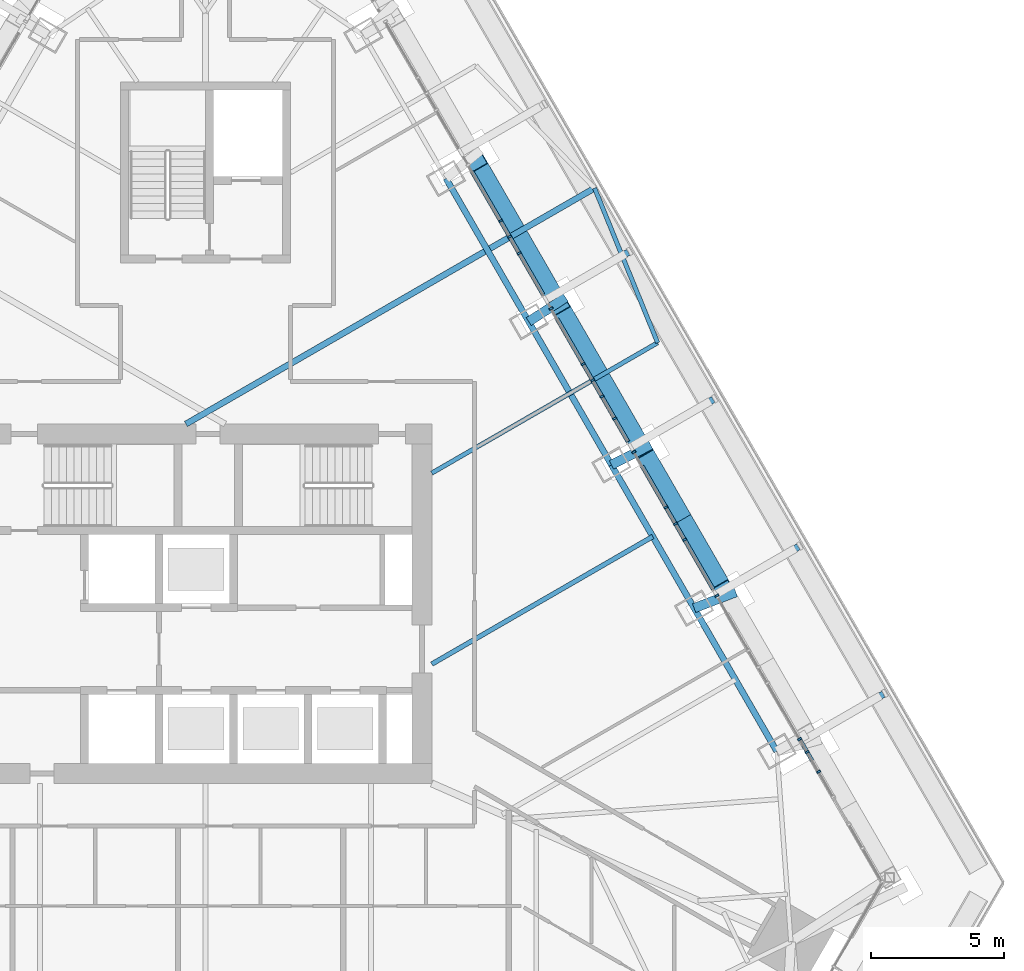
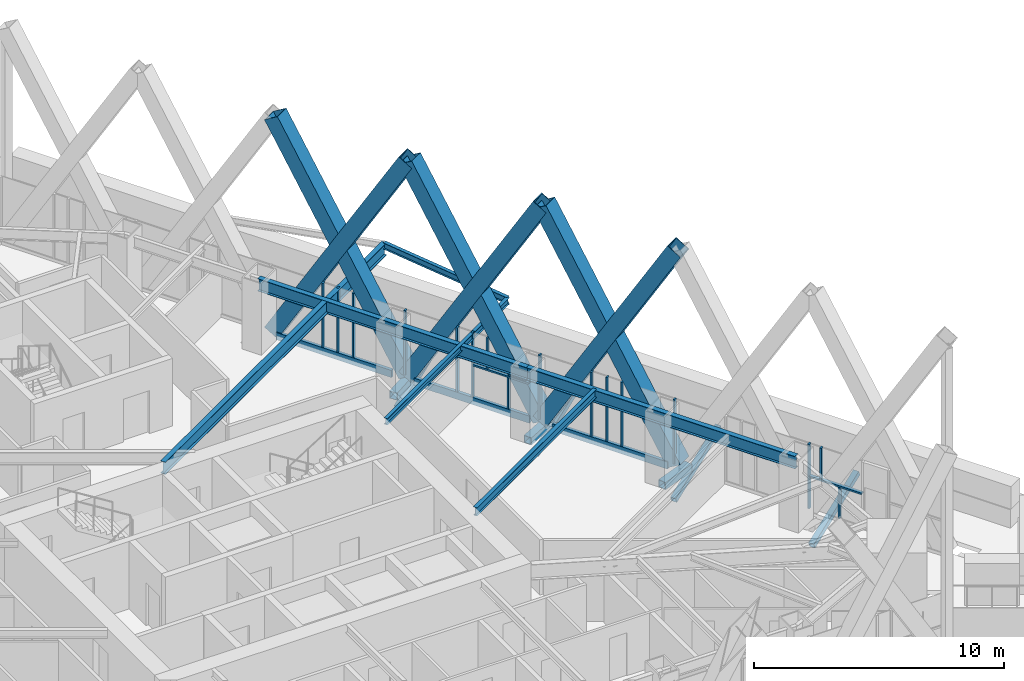
# One storey, part 6 of 23: 34 members, 6 beams, 1 element without a shape of its own.
"""IFC4 building model written with IfcOpenShell, lengths in metres."""

from ifc_helpers import new_model, si_unit, direction, frame, origin, origin_2d, place, context, subcontext, project, spatial, rectangle, hollow_rectangle, i_section, extrude, material, layer, layer_set, material_profile, profile_set, type_object, element, aggregate, save


model = new_model("IFC4")

# Units and contexts
model_context = context("Model", 3, precision=1e-05, world=origin(), true_north=direction((0.0, 1.0)))
body_context = subcontext(model_context, "Body", "Model", "MODEL_VIEW")
ifc_project = project(units=[si_unit("LENGTHUNIT", "METRE"), si_unit("AREAUNIT", "SQUARE_METRE"), si_unit("VOLUMEUNIT", "CUBIC_METRE"), si_unit("PLANEANGLEUNIT", "RADIAN"), si_unit("MASSUNIT", "GRAM", prefix="KILO")], contexts=[model_context])

# Site, building, storey
site_placement = place(None, origin())
site = spatial("IfcSite", under=ifc_project, at=site_placement, CompositionType="ELEMENT")
building_placement = place(site_placement, origin())
building = spatial("IfcBuilding", under=site, at=building_placement, Name="Firuza Gate Tower and Library", CompositionType="ELEMENT")
storey_placement = place(building_placement, frame((0.0, 0.0, 291.60009765625)))
storey = spatial("IfcBuildingStorey", under=building, at=storey_placement, Name="L70", CompositionType="ELEMENT", Elevation=291.60009765625)

# Members
ifc_material_1 = material(Name="Steel S355", Category="steel")
ifc_material_profile_1 = material_profile(ifc_material_1, hollow_rectangle(XDim=0.699951171875, YDim=0.699951171875, WallThickness=0.030029296875, at=origin_2d()))
ifc_profile_set_1 = profile_set([ifc_material_profile_1], Name="Steel S355")
member_type_1 = type_object("IfcMemberType", Name="BU700x700x30 Lattice brace", PredefinedType="BRACE", material=ifc_profile_set_1)
for number, where, z_axis, x_axis, name in (
    (1, (94.479736328125, 75.48486328125, 0.0), (-0.254633703079, 0.441031576884, 0.860611890138), (-0.866021999733, -0.500005895944, 0.0), "Lattice brace E 18.3R"),
    (2, (91.373046875, 80.86572265625, 0.0), (0.254633703079, -0.441031576884, 0.860611890138), (0.866021999733, 0.500005895944, 0.0), "Lattice brace E 18.3L"),
    (3, (91.373046875, 80.86572265625, 0.0), (-0.254633703079, 0.441031576884, 0.860611890138), (-0.866021999733, -0.500005895944, 0.0), "Lattice brace E 18.4R"),
    (4, (88.266357421875, 86.24658203125, 0.0), (0.254633703079, -0.441031576884, 0.860611890138), (0.866021999733, 0.500005895944, 0.0), "Lattice brace E 18.4L"),
    (5, (88.266357421875, 86.24658203125, 0.0), (-0.254633703079, 0.441031576884, 0.860611890138), (-0.866021999733, -0.500005895944, 0.0), "Lattice brace E 18.5R"),
    (6, (85.15966796875, 91.62744140625, 0.0), (0.254633703079, -0.441031576884, 0.860611890138), (0.866021999733, 0.500005895944, 0.0), "Lattice brace E 18.5L"),
):
    element("IfcMember", number, at=place(storey_placement, frame(where, z_axis=z_axis, x_axis=x_axis)), inside=storey, type_object=member_type_1, Name=name, PredefinedType="BRACE", context=body_context, shape_type="SweptSolid", body=[
        extrude(hollow_rectangle(XDim=0.699951171875, YDim=0.699951171875, WallThickness=0.030029296875, at=origin_2d()), origin(), (0.0, 0.0, 1.0), 12.20068359375),
    ])

# Curtain wall, members
ifc_material_2 = material(Name="Aluminium 6063-T6", Category="aluminium")
ifc_layer = layer(ifc_material_2, 0.14990234375)
ifc_layer_set = layer_set([ifc_layer], Name="Unitised curtain wall, residences")
curtain_wall_type = type_object("IfcCurtainWallType", Name="Unitised curtain wall, residences", PredefinedType="NOTDEFINED", material=ifc_layer_set)
curtain_wall_placement = place(storey_placement, origin())
curtain_wall = element("IfcCurtainWall", 7, at=curtain_wall_placement, inside=storey, type_object=curtain_wall_type, Name="CW3 L70 E face", PredefinedType="NOTDEFINED")
ifc_material_3 = material(Name="Aluminium 6063-T6", Category="aluminium")
ifc_material_profile_2 = material_profile(ifc_material_3, rectangle(XDim=0.14990234375, YDim=0.080078125, at=origin_2d()))
ifc_profile_set_2 = profile_set([ifc_material_profile_2], Name="Aluminium 6063-T6")
member_type_2 = type_object("IfcMemberType", Name="Curtain wall mullion 80x150", PredefinedType="MULLION", material=ifc_profile_set_2)
member_1_placement = place(storey_placement, frame((97.3203125, 69.91455078125, 0.14990234375), z_axis=(0.0, 0.0, 1.0), x_axis=(-0.866025403784, -0.5, 0.0)))
member_1 = element("IfcMember", 8, at=member_1_placement, type_object=member_type_2, Name="Mullion", PredefinedType="MULLION", context=body_context, shape_type="SweptSolid", body=[
    extrude(rectangle(XDim=0.14990234375, YDim=0.080078125, at=origin_2d()), origin(), (0.0, 0.0, 1.0), 3.14990234375),
])
member_2_placement = place(storey_placement, frame((94.20751953125, 75.30615234375, 0.14990234375), z_axis=(0.0, 0.0, 1.0), x_axis=(-0.866025403784, -0.5, 0.0)))
member_2 = element("IfcMember", 9, at=member_2_placement, type_object=member_type_2, Name="Mullion", PredefinedType="MULLION", context=body_context, shape_type="SweptSolid", body=[
    extrude(rectangle(XDim=0.14990234375, YDim=0.080078125, at=origin_2d()), origin(), (0.0, 0.0, 1.0), 3.14990234375),
])
member_3_placement = place(storey_placement, frame((92.651123046875, 78.001953125, 0.14990234375), z_axis=(0.0, 0.0, 1.0), x_axis=(-0.866025403784, -0.5, 0.0)))
member_3 = element("IfcMember", 10, at=member_3_placement, type_object=member_type_2, Name="Mullion", PredefinedType="MULLION", context=body_context, shape_type="SweptSolid", body=[
    extrude(rectangle(XDim=0.14990234375, YDim=0.080078125, at=origin_2d()), origin(), (0.0, 0.0, 1.0), 3.14990234375),
])
member_4_placement = place(storey_placement, frame((91.0947265625, 80.69775390625, 0.14990234375), z_axis=(0.0, 0.0, 1.0), x_axis=(-0.866025403784, -0.5, 0.0)))
member_4 = element("IfcMember", 11, at=member_4_placement, type_object=member_type_2, Name="Mullion", PredefinedType="MULLION", context=body_context, shape_type="SweptSolid", body=[
    extrude(rectangle(XDim=0.14990234375, YDim=0.080078125, at=origin_2d()), origin(), (0.0, 0.0, 1.0), 3.14990234375),
])
member_5_placement = place(storey_placement, frame((89.538330078125, 83.393798828125, 0.14990234375), z_axis=(0.0, 0.0, 1.0), x_axis=(-0.866025403784, -0.5, 0.0)))
member_5 = element("IfcMember", 12, at=member_5_placement, type_object=member_type_2, Name="Mullion", PredefinedType="MULLION", context=body_context, shape_type="SweptSolid", body=[
    extrude(rectangle(XDim=0.14990234375, YDim=0.080078125, at=origin_2d()), origin(), (0.0, 0.0, 1.0), 3.14990234375),
])
member_6_placement = place(storey_placement, frame((87.98193359375, 86.089599609375, 0.14990234375), z_axis=(0.0, 0.0, 1.0), x_axis=(-0.866025403784, -0.5, 0.0)))
member_6 = element("IfcMember", 13, at=member_6_placement, type_object=member_type_2, Name="Mullion", PredefinedType="MULLION", context=body_context, shape_type="SweptSolid", body=[
    extrude(rectangle(XDim=0.14990234375, YDim=0.080078125, at=origin_2d()), origin(), (0.0, 0.0, 1.0), 3.14990234375),
])
member_7_placement = place(storey_placement, frame((86.425537109375, 88.785400390625, 0.14990234375), z_axis=(0.0, 0.0, 1.0), x_axis=(-0.866025403784, -0.5, 0.0)))
member_7 = element("IfcMember", 14, at=member_7_placement, type_object=member_type_2, Name="Mullion", PredefinedType="MULLION", context=body_context, shape_type="SweptSolid", body=[
    extrude(rectangle(XDim=0.14990234375, YDim=0.080078125, at=origin_2d()), origin(), (0.0, 0.0, 1.0), 3.14990234375),
])
member_8_placement = place(storey_placement, frame((98.029296875, 68.686767578125, 0.14990234375), z_axis=(0.0, 0.0, 1.0), x_axis=(-0.866025403784, -0.5, 0.0)))
member_8 = element("IfcMember", 15, at=member_8_placement, type_object=member_type_2, Name="Mullion", PredefinedType="MULLION", context=body_context, shape_type="SweptSolid", body=[
    extrude(rectangle(XDim=0.14990234375, YDim=0.080078125, at=origin_2d()), origin(), (0.0, 0.0, 1.0), 1.534912109375),
])
member_9_placement = place(storey_placement, frame((97.601318359375, 69.427978515625, 1.764892578125), z_axis=(0.0, 0.0, 1.0), x_axis=(-0.866025403784, -0.5, 0.0)))
member_9 = element("IfcMember", 16, at=member_9_placement, type_object=member_type_2, Name="Mullion", PredefinedType="MULLION", context=body_context, shape_type="SweptSolid", body=[
    extrude(rectangle(XDim=0.14990234375, YDim=0.080078125, at=origin_2d()), origin(), (0.0, 0.0, 1.0), 1.534912109375),
])
member_10_placement = place(storey_placement, frame((92.99609375, 77.404541015625, 0.14990234375), z_axis=(0.0, 0.0, 1.0), x_axis=(-0.866025403784, -0.5, 0.0)))
member_10 = element("IfcMember", 17, at=member_10_placement, type_object=member_type_2, Name="Mullion", PredefinedType="MULLION", context=body_context, shape_type="SweptSolid", body=[
    extrude(rectangle(XDim=0.14990234375, YDim=0.080078125, at=origin_2d()), origin(), (0.0, 0.0, 1.0), 3.14990234375),
])
member_11_placement = place(storey_placement, frame((92.2939453125, 78.620849609375, 0.14990234375), z_axis=(0.0, 0.0, 1.0), x_axis=(-0.866025403784, -0.5, 0.0)))
member_11 = element("IfcMember", 18, at=member_11_placement, type_object=member_type_2, Name="Mullion", PredefinedType="MULLION", context=body_context, shape_type="SweptSolid", body=[
    extrude(rectangle(XDim=0.14990234375, YDim=0.080078125, at=origin_2d()), origin(), (0.0, 0.0, 1.0), 3.14990234375),
])
member_12_placement = place(storey_placement, frame((90.3671875, 81.9580078125, 0.14990234375), z_axis=(0.0, 0.0, 1.0), x_axis=(-0.866025403784, -0.5, 0.0)))
member_12 = element("IfcMember", 19, at=member_12_placement, type_object=member_type_2, Name="Mullion", PredefinedType="MULLION", context=body_context, shape_type="SweptSolid", body=[
    extrude(rectangle(XDim=0.14990234375, YDim=0.080078125, at=origin_2d()), origin(), (0.0, 0.0, 1.0), 1.534912109375),
])
member_13_placement = place(storey_placement, frame((89.889404296875, 82.78564453125, 1.764892578125), z_axis=(0.0, 0.0, 1.0), x_axis=(-0.866025403784, -0.5, 0.0)))
member_13 = element("IfcMember", 20, at=member_13_placement, type_object=member_type_2, Name="Mullion", PredefinedType="MULLION", context=body_context, shape_type="SweptSolid", body=[
    extrude(rectangle(XDim=0.14990234375, YDim=0.080078125, at=origin_2d()), origin(), (0.0, 0.0, 1.0), 1.534912109375),
])
member_14_placement = place(storey_placement, frame((89.187255859375, 84.001708984375, 0.14990234375), z_axis=(0.0, 0.0, 1.0), x_axis=(-0.866025403784, -0.5, 0.0)))
member_14 = element("IfcMember", 21, at=member_14_placement, type_object=member_type_2, Name="Mullion", PredefinedType="MULLION", context=body_context, shape_type="SweptSolid", body=[
    extrude(rectangle(XDim=0.14990234375, YDim=0.080078125, at=origin_2d()), origin(), (0.0, 0.0, 1.0), 3.14990234375),
])
member_15_placement = place(storey_placement, frame((86.78271484375, 88.16650390625, 0.14990234375), z_axis=(0.0, 0.0, 1.0), x_axis=(-0.866025403784, -0.5, 0.0)))
member_15 = element("IfcMember", 22, at=member_15_placement, type_object=member_type_2, Name="Mullion", PredefinedType="MULLION", context=body_context, shape_type="SweptSolid", body=[
    extrude(rectangle(XDim=0.14990234375, YDim=0.080078125, at=origin_2d()), origin(), (0.0, 0.0, 1.0), 3.14990234375),
])
member_16_placement = place(storey_placement, frame((86.08056640625, 89.3828125, 0.14990234375), z_axis=(0.0, 0.0, 1.0), x_axis=(-0.866025403784, -0.5, 0.0)))
member_16 = element("IfcMember", 23, at=member_16_placement, type_object=member_type_2, Name="Mullion", PredefinedType="MULLION", context=body_context, shape_type="SweptSolid", body=[
    extrude(rectangle(XDim=0.14990234375, YDim=0.080078125, at=origin_2d()), origin(), (0.0, 0.0, 1.0), 3.14990234375),
])
ifc_material_4 = material(Name="Aluminium 6063-T6", Category="aluminium")
ifc_material_profile_3 = material_profile(ifc_material_4, rectangle(XDim=0.14990234375, YDim=0.35009765625, at=origin_2d()))
ifc_profile_set_3 = profile_set([ifc_material_profile_3], Name="Aluminium 6063-T6")
member_type_3 = type_object("IfcMemberType", Name="Curtain wall transom 350x150", PredefinedType="USERDEFINED", material=ifc_profile_set_3)
member_17_placement = place(storey_placement, frame((94.06640625, 75.550537109375, -0.025146484375), z_axis=(-0.499978655776, 0.866037726527, 0.0), x_axis=(-0.866037726527, -0.499978655776, 0.0)))
member_17 = element("IfcMember", 24, at=member_17_placement, type_object=member_type_3, Name="Transom", ObjectType="TRANSOM", PredefinedType="USERDEFINED", context=body_context, shape_type="SweptSolid", body=[
    extrude(rectangle(XDim=0.14990234375, YDim=0.35009765625, at=origin_2d()), origin(), (0.0, 0.0, 1.0), 5.334228515625),
])
member_18_placement = place(storey_placement, frame((90.871826171875, 81.083984375, -0.025146484375), z_axis=(-0.499978655776, 0.866037726527, 0.0), x_axis=(-0.866037726527, -0.499978655776, 0.0)))
member_18 = element("IfcMember", 25, at=member_18_placement, type_object=member_type_3, Name="Transom", ObjectType="TRANSOM", PredefinedType="USERDEFINED", context=body_context, shape_type="SweptSolid", body=[
    extrude(rectangle(XDim=0.14990234375, YDim=0.35009765625, at=origin_2d()), origin(), (0.0, 0.0, 1.0), 5.334228515625),
])
member_19_placement = place(storey_placement, frame((87.67724609375, 86.6171875, -0.025146484375), z_axis=(-0.500012982194, 0.866017908382, 0.0), x_axis=(-0.866017908382, -0.500012982194, 0.0)))
member_19 = element("IfcMember", 26, at=member_19_placement, type_object=member_type_3, Name="Transom", ObjectType="TRANSOM", PredefinedType="USERDEFINED", context=body_context, shape_type="SweptSolid", body=[
    extrude(rectangle(XDim=0.14990234375, YDim=0.35009765625, at=origin_2d()), origin(), (0.0, 0.0, 1.0), 5.334228515625),
])
ifc_material_5 = material(Name="Aluminium 6063-T6", Category="aluminium")
ifc_material_profile_4 = material_profile(ifc_material_5, rectangle(XDim=0.14990234375, YDim=0.080078125, at=origin_2d()))
ifc_profile_set_4 = profile_set([ifc_material_profile_4], Name="Aluminium 6063-T6")
member_type_4 = type_object("IfcMemberType", Name="Curtain wall transom 80x150", PredefinedType="USERDEFINED", material=ifc_profile_set_4)
member_20_placement = place(storey_placement, frame((98.55322265625, 67.779296875, 1.724853515625), z_axis=(-0.500036104519, 0.866004557827, 0.0), x_axis=(-0.866004557827, -0.500036104519, 0.0)))
member_20 = element("IfcMember", 27, at=member_20_placement, type_object=member_type_4, Name="Transom", ObjectType="TRANSOM", PredefinedType="USERDEFINED", context=body_context, shape_type="SweptSolid", body=[
    extrude(rectangle(XDim=0.14990234375, YDim=0.080078125, at=origin_2d()), origin(), (0.0, 0.0, 1.0), 2.425537109375),
])
member_21_placement = place(storey_placement, frame((90.84814453125, 81.125, 1.724853515625), z_axis=(-0.499976412529, 0.866039021589, 0.0), x_axis=(-0.866039021589, -0.499976412529, 0.0)))
member_21 = element("IfcMember", 28, at=member_21_placement, type_object=member_type_4, Name="Transom", ObjectType="TRANSOM", PredefinedType="USERDEFINED", context=body_context, shape_type="SweptSolid", body=[
    extrude(rectangle(XDim=0.14990234375, YDim=0.080078125, at=origin_2d()), origin(), (0.0, 0.0, 1.0), 2.57958984375),
])
aggregate(curtain_wall, [member_1, member_2, member_3, member_4, member_5, member_6, member_7, member_17, member_18, member_19, member_8, member_9, member_20, member_10, member_11, member_12, member_13, member_21, member_14, member_15, member_16])

# Members
ifc_material_6 = material(Name="Steel S355", Category="steel")
ifc_material_profile_5 = material_profile(ifc_material_6, hollow_rectangle(XDim=0.25390625, YDim=0.25390625, WallThickness=0.01171875, at=origin_2d()))
ifc_profile_set_5 = profile_set([ifc_material_profile_5], Name="Steel S355")
member_type_5 = type_object("IfcMemberType", Name="HSS254x254x13 Tray strut", PredefinedType="BRACE", material=ifc_profile_set_5)
for number, where, z_axis, x_axis, name in (
    (29, (97.388427734375, 69.827880859375, -1.670166015625), (0.807122458648, 0.466007352202, 0.362478253747), (-0.500012057535, 0.866018442252, 0.0), "Tray strut L70 col:L69:E1"),
    (30, (94.19384765625, 75.361328125, -1.670166015625), (0.807122458648, 0.466007352202, 0.362478253747), (-0.500012057535, 0.866018442252, 0.0), "Tray strut L70 col:L69:E2"),
    (31, (90.999267578125, 80.89453125, -1.670166015625), (0.807122458648, 0.466007352202, 0.362478253747), (-0.500012057535, 0.866018442252, 0.0), "Tray strut L70 col:L69:E3"),
    (32, (87.804443359375, 86.427978515625, -1.670166015625), (0.807122458648, 0.466007352202, 0.362478253747), (-0.500012057535, 0.866018442252, 0.0), "Tray strut L70 col:L69:E4"),
):
    element("IfcMember", number, at=place(storey_placement, frame(where, z_axis=z_axis, x_axis=x_axis)), inside=storey, type_object=member_type_5, Name=name, PredefinedType="BRACE", context=body_context, shape_type="SweptSolid", body=[
        extrude(hollow_rectangle(XDim=0.25390625, YDim=0.25390625, WallThickness=0.01171875, at=origin_2d()), origin(), (0.0, 0.0, 1.0), 3.86279296875),
    ])
ifc_material_7 = material(Name="Steel S355", Category="steel")
ifc_material_profile_6 = material_profile(ifc_material_7, hollow_rectangle(XDim=0.355712890625, YDim=0.355712890625, WallThickness=0.014892578125, at=origin_2d()))
ifc_profile_set_6 = profile_set([ifc_material_profile_6], Name="Steel S355")
member_type_6 = type_object("IfcMemberType", Name="HSS356x356x16 Lattice node tie", PredefinedType="BRACE", material=ifc_profile_set_6)
for number, where, z_axis, x_axis, name in (
    (33, (87.140625, 85.5966796875, -0.320068359375), (0.838272003294, 0.545252279677, 0.0), (-0.545252279677, 0.838272003294, 0.0), "Lattice node tie E L70 468"),
    (34, (90.247314453125, 80.2158203125, -0.320068359375), (0.891373028978, 0.453270474673, 0.0), (-0.453270474673, 0.891373028978, 0.0), "Lattice node tie E L70 469"),
):
    element("IfcMember", number, at=place(storey_placement, frame(where, z_axis=z_axis, x_axis=x_axis)), inside=storey, type_object=member_type_6, Name=name, PredefinedType="BRACE", context=body_context, shape_type="SweptSolid", body=[
        extrude(hollow_rectangle(XDim=0.355712890625, YDim=0.355712890625, WallThickness=0.014892578125, at=origin_2d()), origin(), (0.0, 0.0, 1.0), 1.657958984375),
    ])
member_22_placement = place(storey_placement, frame((93.35400390625, 74.834716796875, -0.320068359375), z_axis=(0.933907450253, 0.357514858938, 0.0), x_axis=(-0.357514858938, 0.933907450253, 0.0)))
element("IfcMember", 35, at=member_22_placement, inside=storey, type_object=member_type_6, Name="Lattice node tie E L70 470", PredefinedType="BRACE", context=body_context, shape_type="SweptSolid", body=[
    extrude(hollow_rectangle(XDim=0.355712890625, YDim=0.355712890625, WallThickness=0.014892578125, at=origin_2d()), origin(), (0.0, 0.0, 1.0), 1.676513671875),
])

# Beams
ifc_material_8 = material(Name="Steel S355", Category="steel")
ifc_material_profile_7 = material_profile(ifc_material_8, i_section(OverallWidth=0.1650390625, OverallDepth=0.31005859375, WebThickness=0.005859375, FlangeThickness=0.009765625, at=origin_2d()))
ifc_profile_set_7 = profile_set([ifc_material_profile_7], Name="Steel S355")
beam_type_1 = type_object("IfcBeamType", Name="W310x39 Floor beam", PredefinedType="JOIST", material=ifc_profile_set_7)
beam_1_placement = place(storey_placement, frame((91.9833984375, 84.805419921875, 3.14501953125), z_axis=(-0.866022890907, -0.500004352405, 0.0), x_axis=(0.500004352405, -0.866022890907, 0.0)))
element("IfcBeam", 36, at=beam_1_placement, inside=storey, type_object=beam_type_1, Name="Floor beam L70 s52", PredefinedType="JOIST", context=body_context, shape_type="SweptSolid", body=[
    extrude(i_section(OverallWidth=0.1650390625, OverallDepth=0.31005859375, WebThickness=0.005859375, FlangeThickness=0.009765625, at=origin_2d()), origin(), (0.0, 0.0, 1.0), 9.7958984375),
])
beam_2_placement = place(storey_placement, frame((91.9833984375, 84.805419921875, 3.14501953125), z_axis=(-0.377771685789, 0.92589878141, 0.0), x_axis=(-0.92589878141, -0.377771685789, 0.0)))
element("IfcBeam", 37, at=beam_2_placement, inside=storey, type_object=beam_type_1, Name="Tray edge beam L70 s52-s53", PredefinedType="JOIST", context=body_context, shape_type="SweptSolid", body=[
    extrude(i_section(OverallWidth=0.1650390625, OverallDepth=0.31005859375, WebThickness=0.005859375, FlangeThickness=0.009765625, at=origin_2d()), origin(), (0.0, 0.0, 1.0), 6.271240234375),
])
ifc_material_9 = material(Name="Steel S355", Category="steel")
ifc_material_profile_8 = material_profile(ifc_material_9, i_section(OverallWidth=0.177978515625, OverallDepth=0.406982421875, WebThickness=0.0078125, FlangeThickness=0.0126953125, at=origin_2d()))
ifc_profile_set_8 = profile_set([ifc_material_profile_8], Name="Steel S355")
beam_type_2 = type_object("IfcBeamType", Name="W410x60 Floor beam", PredefinedType="JOIST", material=ifc_profile_set_8)
beam_3_placement = place(storey_placement, frame((91.800537109375, 77.525390625, 3.096435546875), z_axis=(-0.866018033707, -0.500012765131, 0.0), x_axis=(0.500012765131, -0.866018033707, 0.0)))
element("IfcBeam", 38, at=beam_3_placement, inside=storey, type_object=beam_type_2, Name="Floor beam L70 s51", PredefinedType="JOIST", context=body_context, shape_type="SweptSolid", body=[
    extrude(i_section(OverallWidth=0.177978515625, OverallDepth=0.406982421875, WebThickness=0.0078125, FlangeThickness=0.0126953125, at=origin_2d()), origin(), (0.0, 0.0, 1.0), 9.584716796875),
])
ifc_material_10 = material(Name="Steel S355", Category="steel")
ifc_material_profile_9 = material_profile(ifc_material_10, i_section(OverallWidth=0.22802734375, OverallDepth=0.60302734375, WebThickness=0.010498046875, FlangeThickness=0.014892578125, at=origin_2d()))
ifc_profile_set_9 = profile_set([ifc_material_profile_9], Name="Steel S355")
beam_type_3 = type_object("IfcBeamType", Name="W610x101 Floor beam", PredefinedType="JOIST", material=ifc_profile_set_9)
beam_4_placement = place(storey_placement, frame((89.6142578125, 90.612060546875, 2.998291015625), z_axis=(-0.866026394633, -0.499998283796, 0.0), x_axis=(0.499998283796, -0.866026394633, 0.0)))
element("IfcBeam", 39, at=beam_4_placement, inside=storey, type_object=beam_type_3, Name="Floor beam L70 s53", PredefinedType="JOIST", context=body_context, shape_type="SweptSolid", body=[
    extrude(i_section(OverallWidth=0.22802734375, OverallDepth=0.60302734375, WebThickness=0.010498046875, FlangeThickness=0.014892578125, at=origin_2d()), origin(), (0.0, 0.0, 1.0), 17.72412109375),
])
ifc_material_11 = material(Name="Steel S355", Category="steel")
ifc_material_profile_10 = material_profile(ifc_material_11, i_section(OverallWidth=0.22900390625, OverallDepth=0.612060546875, WebThickness=0.011962890625, FlangeThickness=0.01953125, at=origin_2d()))
ifc_profile_set_10 = profile_set([ifc_material_profile_10], Name="Steel S355")
beam_type_4 = type_object("IfcBeamType", Name="W610x125 Edge beam", PredefinedType="SPANDREL", material=ifc_profile_set_10)
beam_5_placement = place(storey_placement, frame((96.460693359375, 69.453857421875, 2.993896484375), z_axis=(-0.499997388771, 0.866026911373, 0.0), x_axis=(-0.866026911373, -0.499997388771, 0.0)))
element("IfcBeam", 40, at=beam_5_placement, inside=storey, type_object=beam_type_4, Name="Edge beam L70 e50", PredefinedType="SPANDREL", context=body_context, shape_type="SweptSolid", body=[
    extrude(i_section(OverallWidth=0.22900390625, OverallDepth=0.612060546875, WebThickness=0.011962890625, FlangeThickness=0.01953125, at=origin_2d()), origin(), (0.0, 0.0, 1.0), 12.4267578125),
])
beam_6_placement = place(storey_placement, frame((90.247314453125, 80.2158203125, 2.993896484375), z_axis=(-0.500005895944, 0.866021999733, 0.0), x_axis=(-0.866021999733, -0.500005895944, 0.0)))
element("IfcBeam", 41, at=beam_6_placement, inside=storey, type_object=beam_type_4, Name="Edge beam L70 e52", PredefinedType="SPANDREL", context=body_context, shape_type="SweptSolid", body=[
    extrude(i_section(OverallWidth=0.22900390625, OverallDepth=0.612060546875, WebThickness=0.011962890625, FlangeThickness=0.01953125, at=origin_2d()), origin(), (0.0, 0.0, 1.0), 12.426513671875),
])

save(model, "model.ifc")
